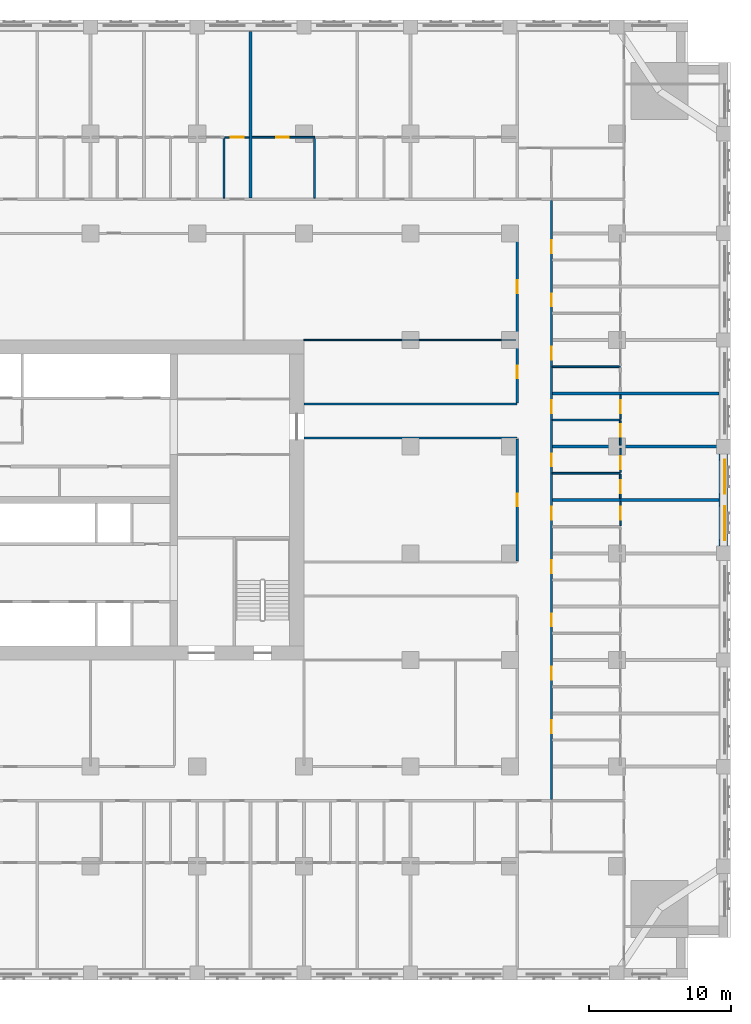
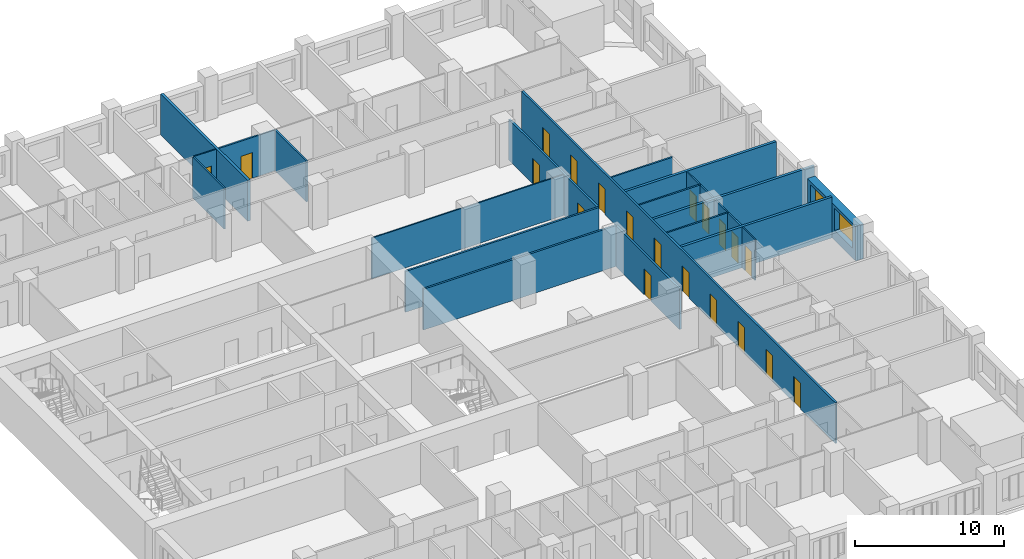
# One storey, part 10 of 15: 23 walls, 20 doors, 2 windows, 22 openings.
"""IFC4 building model written with IfcOpenShell, lengths in metres."""

from ifc_helpers import new_model, si_unit, direction, frame, frame_2d, origin, place, context, subcontext, project, spatial, rectangle, extrude, material, layer, layer_set, type_object, element, fill, save


model = new_model("IFC4")

# Units and contexts
model_context = context("Model", 3, precision=1e-05, world=origin(), true_north=direction((0.0, 1.0)))
body_context = subcontext(model_context, "Body", "Model", "MODEL_VIEW")
ifc_project = project(units=[si_unit("LENGTHUNIT", "METRE"), si_unit("AREAUNIT", "SQUARE_METRE"), si_unit("VOLUMEUNIT", "CUBIC_METRE"), si_unit("PLANEANGLEUNIT", "RADIAN"), si_unit("MASSUNIT", "GRAM", prefix="KILO")], contexts=[model_context])

# Site, building, storey
site_placement = place(None, origin())
site = spatial("IfcSite", under=ifc_project, at=site_placement, CompositionType="ELEMENT")
building_placement = place(site_placement, origin())
building = spatial("IfcBuilding", under=site, at=building_placement, Name="Tamorin Gate", CompositionType="ELEMENT")
storey_placement = place(building_placement, frame((0.0, 0.0, 48.39990234375)))
storey = spatial("IfcBuildingStorey", under=building, at=storey_placement, Name="L10", CompositionType="ELEMENT", Elevation=48.39990234375)

# Wall, openings, windows
ifc_material_1 = material(Name="Precast concrete C40/50", Category="concrete")
ifc_layer_1 = layer(ifc_material_1, 0.60009765625)
ifc_layer_set_1 = layer_set([ifc_layer_1], Name="Precast concrete C40/50")
wall_type_1 = type_object("IfcWallType", Name="Board-marked concrete facade panel 600", PredefinedType="SOLIDWALL", material=ifc_layer_set_1)
wall_1_placement = place(storey_placement, frame((89.5, 68.0, 0.0), z_axis=(0.0, 0.0, 1.0), x_axis=(0.0, 1.0, 0.0)))
wall_1 = element("IfcWall", 1, at=wall_1_placement, inside=storey, type_object=wall_type_1, Name="Facade panel", PredefinedType="SOLIDWALL", context=body_context, shape_type="SweptSolid", body=[
    extrude(rectangle(XDim=6.5, YDim=0.60009765625, at=frame_2d((3.25, 0.0))), origin(), (0.0, 0.0, 1.0), 2.85009765625),
])
opening_1_placement = place(wall_1_placement, frame((0.425048828125, 0.0, 0.800048828125)))
opening_1 = element("IfcOpeningElement", 2, at=opening_1_placement, cuts=wall_1, Name="Opening WN1", PredefinedType="OPENING", context=body_context, shape_type="SweptSolid", body=[
    extrude(rectangle(XDim=2.39990234375, YDim=1.800048828125, at=frame_2d((1.199951171875, 0.89990234375))), frame((0.0, 0.31005859375, 0.0), z_axis=(0.0, -1.0, 0.0), x_axis=(1.0, 0.0, 0.0)), (0.0, 0.0, 1.0), 0.6201171875),
])
opening_2_placement = place(wall_1_placement, frame((3.675048828125, 0.0, 0.800048828125)))
opening_2 = element("IfcOpeningElement", 3, at=opening_2_placement, cuts=wall_1, Name="Opening WN1", PredefinedType="OPENING", context=body_context, shape_type="SweptSolid", body=[
    extrude(rectangle(XDim=2.39990234375, YDim=1.800048828125, at=frame_2d((1.199951171875, 0.89990234375))), frame((0.0, 0.31005859375, 0.0), z_axis=(0.0, -1.0, 0.0), x_axis=(1.0, 0.0, 0.0)), (0.0, 0.0, 1.0), 0.6201171875),
])
ifc_material_2 = material(Name="Clear glass in aluminium frame", Category="aluminium")
window_type = type_object("IfcWindowType", Name="Deep-set window 2400x1800", PartitioningType="SINGLE_PANEL", PredefinedType="WINDOW", material=ifc_material_2)
window_1_placement = place(opening_1_placement, origin())
window_1 = element("IfcWindow", 4, at=window_1_placement, inside=storey, type_object=window_type, Name="Deep-set window", OverallHeight=1.800048828125, OverallWidth=2.39990234375, PartitioningType="SINGLE_PANEL", PredefinedType="WINDOW", context=body_context, shape_type="SweptSolid", body=[
    extrude(rectangle(XDim=2.39990234375, YDim=1.800048828125, at=frame_2d((1.199951171875, 0.89990234375))), frame((0.0, -0.070068359375, 0.0), z_axis=(0.0, -1.0, 0.0), x_axis=(1.0, 0.0, 0.0)), (0.0, 0.0, 1.0), 0.06005859375),
])
fill(opening_1, window_1)
window_2_placement = place(opening_2_placement, origin())
window_2 = element("IfcWindow", 5, at=window_2_placement, inside=storey, type_object=window_type, Name="Deep-set window", OverallHeight=1.800048828125, OverallWidth=2.39990234375, PartitioningType="SINGLE_PANEL", PredefinedType="WINDOW", context=body_context, shape_type="SweptSolid", body=[
    extrude(rectangle(XDim=2.39990234375, YDim=1.800048828125, at=frame_2d((1.199951171875, 0.89990234375))), frame((0.0, -0.070068359375, 0.0), z_axis=(0.0, -1.0, 0.0), x_axis=(1.0, 0.0, 0.0)), (0.0, 0.0, 1.0), 0.06005859375),
])
fill(opening_2, window_2)

# Wall, opening, door
ifc_material_3 = material(Name="Gypsum board partition")
ifc_layer_2 = layer(ifc_material_3, 0.14990234375)
ifc_layer_set_2 = layer_set([ifc_layer_2], Name="Corridor wall 150")
wall_type_2 = type_object("IfcWallType", Name="Corridor wall 150", PredefinedType="PARTITIONING", material=ifc_layer_set_2)
wall_2_placement = place(storey_placement, frame((75.0, 66.97509765625, 0.0), z_axis=(0.0, 0.0, 1.0), x_axis=(0.0, 1.0, 0.0)))
wall_2 = element("IfcWall", 6, at=wall_2_placement, inside=storey, type_object=wall_type_2, Name="Corridor wall 150", PredefinedType="PARTITIONING", context=body_context, shape_type="SweptSolid", body=[
    extrude(rectangle(XDim=8.5498046875, YDim=0.14990234375, at=frame_2d((4.27490234375, 0.0))), origin(), (0.0, 0.0, 1.0), 3.35009765625),
])
opening_3_placement = place(wall_2_placement, frame((3.824951171875, 0.0, 0.0)))
opening_3 = element("IfcOpeningElement", 7, at=opening_3_placement, cuts=wall_2, Name="Opening DH1101", PredefinedType="OPENING", context=body_context, shape_type="SweptSolid", body=[
    extrude(rectangle(XDim=0.89990234375, YDim=2.10009765625, at=frame_2d((0.449951171875, 1.050048828125))), frame((0.0, 0.0849609375, 0.0), z_axis=(0.0, -1.0, 0.0), x_axis=(1.0, 0.0, 0.0)), (0.0, 0.0, 1.0), 0.169921875),
])
ifc_material_4 = material(Name="Timber door leaf", Category="wood")
door_type_1 = type_object("IfcDoorType", Name="Door 900 x 2100 FD30S", OperationType="NOTDEFINED", PredefinedType="DOOR", material=ifc_material_4)
door_1_placement = place(opening_3_placement, origin())
door_1 = element("IfcDoor", 8, at=door_1_placement, inside=storey, type_object=door_type_1, Name="Door DH1101", OperationType="SINGLE_SWING_LEFT", OverallHeight=2.10009765625, OverallWidth=0.89990234375, PredefinedType="DOOR", context=body_context, shape_type="SweptSolid", body=[
    extrude(rectangle(XDim=0.89990234375, YDim=2.10009765625, at=frame_2d((0.449951171875, 1.050048828125))), frame((0.0, 0.02490234375, 0.0), z_axis=(0.0, -1.0, 0.0), x_axis=(1.0, 0.0, 0.0)), (0.0, 0.0, 1.0), 0.050048828125),
])
fill(opening_3, door_1)

# Wall, openings, doors
wall_3_placement = place(storey_placement, frame((75.0, 78.074951171875, 0.0), z_axis=(0.0, 0.0, 1.0), x_axis=(0.0, 1.0, 0.0)))
wall_3 = element("IfcWall", 9, at=wall_3_placement, inside=storey, type_object=wall_type_2, Name="Corridor wall 150", PredefinedType="PARTITIONING", context=body_context, shape_type="SweptSolid", body=[
    extrude(rectangle(XDim=11.85009765625, YDim=0.14990234375, at=frame_2d((5.925048828125, 0.0))), origin(), (0.0, 0.0, 1.0), 3.35009765625),
])
opening_4_placement = place(wall_3_placement, frame((7.72509765625, 0.0, 0.0)))
opening_4 = element("IfcOpeningElement", 10, at=opening_4_placement, cuts=wall_3, Name="Opening DH1099", PredefinedType="OPENING", context=body_context, shape_type="SweptSolid", body=[
    extrude(rectangle(XDim=0.89990234375, YDim=2.10009765625, at=frame_2d((0.449951171875, 1.050048828125))), frame((0.0, 0.0849609375, 0.0), z_axis=(0.0, -1.0, 0.0), x_axis=(1.0, 0.0, 0.0)), (0.0, 0.0, 1.0), 0.169921875),
])
opening_5_placement = place(wall_3_placement, frame((1.72509765625, 0.0, 0.0)))
opening_5 = element("IfcOpeningElement", 11, at=opening_5_placement, cuts=wall_3, Name="Opening DH1102", PredefinedType="OPENING", context=body_context, shape_type="SweptSolid", body=[
    extrude(rectangle(XDim=0.89990234375, YDim=2.10009765625, at=frame_2d((0.449951171875, 1.050048828125))), frame((0.0, 0.0849609375, 0.0), z_axis=(0.0, -1.0, 0.0), x_axis=(1.0, 0.0, 0.0)), (0.0, 0.0, 1.0), 0.169921875),
])
door_2_placement = place(opening_4_placement, origin())
door_2 = element("IfcDoor", 12, at=door_2_placement, inside=storey, type_object=door_type_1, Name="Door DH1099", OperationType="SINGLE_SWING_LEFT", OverallHeight=2.10009765625, OverallWidth=0.89990234375, PredefinedType="DOOR", context=body_context, shape_type="SweptSolid", body=[
    extrude(rectangle(XDim=0.89990234375, YDim=2.10009765625, at=frame_2d((0.449951171875, 1.050048828125))), frame((0.0, 0.02490234375, 0.0), z_axis=(0.0, -1.0, 0.0), x_axis=(1.0, 0.0, 0.0)), (0.0, 0.0, 1.0), 0.050048828125),
])
fill(opening_4, door_2)
door_3_placement = place(opening_5_placement, origin())
door_3 = element("IfcDoor", 13, at=door_3_placement, inside=storey, type_object=door_type_1, Name="Door DH1102", OperationType="SINGLE_SWING_LEFT", OverallHeight=2.10009765625, OverallWidth=0.89990234375, PredefinedType="DOOR", context=body_context, shape_type="SweptSolid", body=[
    extrude(rectangle(XDim=0.89990234375, YDim=2.10009765625, at=frame_2d((0.449951171875, 1.050048828125))), frame((0.0, 0.02490234375, 0.0), z_axis=(0.0, -1.0, 0.0), x_axis=(1.0, 0.0, 0.0)), (0.0, 0.0, 1.0), 0.050048828125),
])
fill(opening_5, door_3)

wall_4_placement = place(storey_placement, frame((77.39990234375, 50.175048828125, 0.0), z_axis=(0.0, 0.0, 1.0), x_axis=(0.0, 1.0, 0.0)))
wall_4 = element("IfcWall", 14, at=wall_4_placement, inside=storey, type_object=wall_type_2, Name="Corridor wall 150", PredefinedType="PARTITIONING", context=body_context, shape_type="SweptSolid", body=[
    extrude(rectangle(XDim=42.14990234375, YDim=0.14990234375, at=frame_2d((21.074951171875, 0.0))), origin(), (0.0, 0.0, 1.0), 3.35009765625),
])
opening_6_placement = place(wall_4_placement, frame((4.6875, 0.0, 0.0)))
opening_6 = element("IfcOpeningElement", 15, at=opening_6_placement, cuts=wall_4, Name="Opening DH1052", PredefinedType="OPENING", context=body_context, shape_type="SweptSolid", body=[
    extrude(rectangle(XDim=0.89990234375, YDim=2.10009765625, at=frame_2d((0.449951171875, 1.050048828125))), frame((0.0, 0.0849609375, 0.0), z_axis=(0.0, -1.0, 0.0), x_axis=(1.0, 0.0, 0.0)), (0.0, 0.0, 1.0), 0.169921875),
])
opening_7_placement = place(wall_4_placement, frame((8.4375, 0.0, 0.0)))
opening_7 = element("IfcOpeningElement", 16, at=opening_7_placement, cuts=wall_4, Name="Opening DH1055", PredefinedType="OPENING", context=body_context, shape_type="SweptSolid", body=[
    extrude(rectangle(XDim=0.89990234375, YDim=2.10009765625, at=frame_2d((0.449951171875, 1.050048828125))), frame((0.0, 0.0849609375, 0.0), z_axis=(0.0, -1.0, 0.0), x_axis=(1.0, 0.0, 0.0)), (0.0, 0.0, 1.0), 0.169921875),
])
opening_8_placement = place(wall_4_placement, frame((12.1875, 0.0, 0.0)))
opening_8 = element("IfcOpeningElement", 17, at=opening_8_placement, cuts=wall_4, Name="Opening DH1058", PredefinedType="OPENING", context=body_context, shape_type="SweptSolid", body=[
    extrude(rectangle(XDim=0.89990234375, YDim=2.10009765625, at=frame_2d((0.449951171875, 1.050048828125))), frame((0.0, 0.0849609375, 0.0), z_axis=(0.0, -1.0, 0.0), x_axis=(1.0, 0.0, 0.0)), (0.0, 0.0, 1.0), 0.169921875),
])
opening_9_placement = place(wall_4_placement, frame((15.9375, 0.0, 0.0)))
opening_9 = element("IfcOpeningElement", 18, at=opening_9_placement, cuts=wall_4, Name="Opening DH1061", PredefinedType="OPENING", context=body_context, shape_type="SweptSolid", body=[
    extrude(rectangle(XDim=0.89990234375, YDim=2.10009765625, at=frame_2d((0.449951171875, 1.050048828125))), frame((0.0, 0.0849609375, 0.0), z_axis=(0.0, -1.0, 0.0), x_axis=(1.0, 0.0, 0.0)), (0.0, 0.0, 1.0), 0.169921875),
])
opening_10_placement = place(wall_4_placement, frame((19.6875, 0.0, 0.0)))
opening_10 = element("IfcOpeningElement", 19, at=opening_10_placement, cuts=wall_4, Name="Opening DH1064", PredefinedType="OPENING", context=body_context, shape_type="SweptSolid", body=[
    extrude(rectangle(XDim=0.89990234375, YDim=2.10009765625, at=frame_2d((0.449951171875, 1.050048828125))), frame((0.0, 0.0849609375, 0.0), z_axis=(0.0, -1.0, 0.0), x_axis=(1.0, 0.0, 0.0)), (0.0, 0.0, 1.0), 0.169921875),
])
opening_11_placement = place(wall_4_placement, frame((23.4375, 0.0, 0.0)))
opening_11 = element("IfcOpeningElement", 20, at=opening_11_placement, cuts=wall_4, Name="Opening DH1067", PredefinedType="OPENING", context=body_context, shape_type="SweptSolid", body=[
    extrude(rectangle(XDim=0.89990234375, YDim=2.10009765625, at=frame_2d((0.449951171875, 1.050048828125))), frame((0.0, 0.0849609375, 0.0), z_axis=(0.0, -1.0, 0.0), x_axis=(1.0, 0.0, 0.0)), (0.0, 0.0, 1.0), 0.169921875),
])
opening_12_placement = place(wall_4_placement, frame((27.1875, 0.0, 0.0)))
opening_12 = element("IfcOpeningElement", 21, at=opening_12_placement, cuts=wall_4, Name="Opening DH1070", PredefinedType="OPENING", context=body_context, shape_type="SweptSolid", body=[
    extrude(rectangle(XDim=0.89990234375, YDim=2.10009765625, at=frame_2d((0.449951171875, 1.050048828125))), frame((0.0, 0.0849609375, 0.0), z_axis=(0.0, -1.0, 0.0), x_axis=(1.0, 0.0, 0.0)), (0.0, 0.0, 1.0), 0.169921875),
])
opening_13_placement = place(wall_4_placement, frame((30.9375, 0.0, 0.0)))
opening_13 = element("IfcOpeningElement", 22, at=opening_13_placement, cuts=wall_4, Name="Opening DH1073", PredefinedType="OPENING", context=body_context, shape_type="SweptSolid", body=[
    extrude(rectangle(XDim=0.89990234375, YDim=2.10009765625, at=frame_2d((0.449951171875, 1.050048828125))), frame((0.0, 0.0849609375, 0.0), z_axis=(0.0, -1.0, 0.0), x_axis=(1.0, 0.0, 0.0)), (0.0, 0.0, 1.0), 0.169921875),
])
opening_14_placement = place(wall_4_placement, frame((34.6875, 0.0, 0.0)))
opening_14 = element("IfcOpeningElement", 23, at=opening_14_placement, cuts=wall_4, Name="Opening DH1076", PredefinedType="OPENING", context=body_context, shape_type="SweptSolid", body=[
    extrude(rectangle(XDim=0.89990234375, YDim=2.10009765625, at=frame_2d((0.449951171875, 1.050048828125))), frame((0.0, 0.0849609375, 0.0), z_axis=(0.0, -1.0, 0.0), x_axis=(1.0, 0.0, 0.0)), (0.0, 0.0, 1.0), 0.169921875),
])
opening_15_placement = place(wall_4_placement, frame((38.4375, 0.0, 0.0)))
opening_15 = element("IfcOpeningElement", 24, at=opening_15_placement, cuts=wall_4, Name="Opening DH1079", PredefinedType="OPENING", context=body_context, shape_type="SweptSolid", body=[
    extrude(rectangle(XDim=0.89990234375, YDim=2.10009765625, at=frame_2d((0.449951171875, 1.050048828125))), frame((0.0, 0.0849609375, 0.0), z_axis=(0.0, -1.0, 0.0), x_axis=(1.0, 0.0, 0.0)), (0.0, 0.0, 1.0), 0.169921875),
])
door_4_placement = place(opening_6_placement, origin())
door_4 = element("IfcDoor", 25, at=door_4_placement, inside=storey, type_object=door_type_1, Name="Door DH1052", OperationType="SINGLE_SWING_RIGHT", OverallHeight=2.10009765625, OverallWidth=0.89990234375, PredefinedType="DOOR", context=body_context, shape_type="SweptSolid", body=[
    extrude(rectangle(XDim=0.89990234375, YDim=2.10009765625, at=frame_2d((0.449951171875, 1.050048828125))), frame((0.0, 0.02490234375, 0.0), z_axis=(0.0, -1.0, 0.0), x_axis=(1.0, 0.0, 0.0)), (0.0, 0.0, 1.0), 0.050048828125),
])
fill(opening_6, door_4)
door_5_placement = place(opening_7_placement, origin())
door_5 = element("IfcDoor", 26, at=door_5_placement, inside=storey, type_object=door_type_1, Name="Door DH1055", OperationType="SINGLE_SWING_RIGHT", OverallHeight=2.10009765625, OverallWidth=0.89990234375, PredefinedType="DOOR", context=body_context, shape_type="SweptSolid", body=[
    extrude(rectangle(XDim=0.89990234375, YDim=2.10009765625, at=frame_2d((0.449951171875, 1.050048828125))), frame((0.0, 0.02490234375, 0.0), z_axis=(0.0, -1.0, 0.0), x_axis=(1.0, 0.0, 0.0)), (0.0, 0.0, 1.0), 0.050048828125),
])
fill(opening_7, door_5)
door_6_placement = place(opening_8_placement, origin())
door_6 = element("IfcDoor", 27, at=door_6_placement, inside=storey, type_object=door_type_1, Name="Door DH1058", OperationType="SINGLE_SWING_RIGHT", OverallHeight=2.10009765625, OverallWidth=0.89990234375, PredefinedType="DOOR", context=body_context, shape_type="SweptSolid", body=[
    extrude(rectangle(XDim=0.89990234375, YDim=2.10009765625, at=frame_2d((0.449951171875, 1.050048828125))), frame((0.0, 0.02490234375, 0.0), z_axis=(0.0, -1.0, 0.0), x_axis=(1.0, 0.0, 0.0)), (0.0, 0.0, 1.0), 0.050048828125),
])
fill(opening_8, door_6)
door_7_placement = place(opening_9_placement, origin())
door_7 = element("IfcDoor", 28, at=door_7_placement, inside=storey, type_object=door_type_1, Name="Door DH1061", OperationType="SINGLE_SWING_RIGHT", OverallHeight=2.10009765625, OverallWidth=0.89990234375, PredefinedType="DOOR", context=body_context, shape_type="SweptSolid", body=[
    extrude(rectangle(XDim=0.89990234375, YDim=2.10009765625, at=frame_2d((0.449951171875, 1.050048828125))), frame((0.0, 0.02490234375, 0.0), z_axis=(0.0, -1.0, 0.0), x_axis=(1.0, 0.0, 0.0)), (0.0, 0.0, 1.0), 0.050048828125),
])
fill(opening_9, door_7)
door_8_placement = place(opening_10_placement, origin())
door_8 = element("IfcDoor", 29, at=door_8_placement, inside=storey, type_object=door_type_1, Name="Door DH1064", OperationType="SINGLE_SWING_RIGHT", OverallHeight=2.10009765625, OverallWidth=0.89990234375, PredefinedType="DOOR", context=body_context, shape_type="SweptSolid", body=[
    extrude(rectangle(XDim=0.89990234375, YDim=2.10009765625, at=frame_2d((0.449951171875, 1.050048828125))), frame((0.0, 0.02490234375, 0.0), z_axis=(0.0, -1.0, 0.0), x_axis=(1.0, 0.0, 0.0)), (0.0, 0.0, 1.0), 0.050048828125),
])
fill(opening_10, door_8)
door_9_placement = place(opening_11_placement, origin())
door_9 = element("IfcDoor", 30, at=door_9_placement, inside=storey, type_object=door_type_1, Name="Door DH1067", OperationType="SINGLE_SWING_RIGHT", OverallHeight=2.10009765625, OverallWidth=0.89990234375, PredefinedType="DOOR", context=body_context, shape_type="SweptSolid", body=[
    extrude(rectangle(XDim=0.89990234375, YDim=2.10009765625, at=frame_2d((0.449951171875, 1.050048828125))), frame((0.0, 0.02490234375, 0.0), z_axis=(0.0, -1.0, 0.0), x_axis=(1.0, 0.0, 0.0)), (0.0, 0.0, 1.0), 0.050048828125),
])
fill(opening_11, door_9)
door_10_placement = place(opening_12_placement, origin())
door_10 = element("IfcDoor", 31, at=door_10_placement, inside=storey, type_object=door_type_1, Name="Door DH1070", OperationType="SINGLE_SWING_RIGHT", OverallHeight=2.10009765625, OverallWidth=0.89990234375, PredefinedType="DOOR", context=body_context, shape_type="SweptSolid", body=[
    extrude(rectangle(XDim=0.89990234375, YDim=2.10009765625, at=frame_2d((0.449951171875, 1.050048828125))), frame((0.0, 0.02490234375, 0.0), z_axis=(0.0, -1.0, 0.0), x_axis=(1.0, 0.0, 0.0)), (0.0, 0.0, 1.0), 0.050048828125),
])
fill(opening_12, door_10)
door_11_placement = place(opening_13_placement, origin())
door_11 = element("IfcDoor", 32, at=door_11_placement, inside=storey, type_object=door_type_1, Name="Door DH1073", OperationType="SINGLE_SWING_RIGHT", OverallHeight=2.10009765625, OverallWidth=0.89990234375, PredefinedType="DOOR", context=body_context, shape_type="SweptSolid", body=[
    extrude(rectangle(XDim=0.89990234375, YDim=2.10009765625, at=frame_2d((0.449951171875, 1.050048828125))), frame((0.0, 0.02490234375, 0.0), z_axis=(0.0, -1.0, 0.0), x_axis=(1.0, 0.0, 0.0)), (0.0, 0.0, 1.0), 0.050048828125),
])
fill(opening_13, door_11)
door_12_placement = place(opening_14_placement, origin())
door_12 = element("IfcDoor", 33, at=door_12_placement, inside=storey, type_object=door_type_1, Name="Door DH1076", OperationType="SINGLE_SWING_RIGHT", OverallHeight=2.10009765625, OverallWidth=0.89990234375, PredefinedType="DOOR", context=body_context, shape_type="SweptSolid", body=[
    extrude(rectangle(XDim=0.89990234375, YDim=2.10009765625, at=frame_2d((0.449951171875, 1.050048828125))), frame((0.0, 0.02490234375, 0.0), z_axis=(0.0, -1.0, 0.0), x_axis=(1.0, 0.0, 0.0)), (0.0, 0.0, 1.0), 0.050048828125),
])
fill(opening_14, door_12)
door_13_placement = place(opening_15_placement, origin())
door_13 = element("IfcDoor", 34, at=door_13_placement, inside=storey, type_object=door_type_1, Name="Door DH1079", OperationType="SINGLE_SWING_RIGHT", OverallHeight=2.10009765625, OverallWidth=0.89990234375, PredefinedType="DOOR", context=body_context, shape_type="SweptSolid", body=[
    extrude(rectangle(XDim=0.89990234375, YDim=2.10009765625, at=frame_2d((0.449951171875, 1.050048828125))), frame((0.0, 0.02490234375, 0.0), z_axis=(0.0, -1.0, 0.0), x_axis=(1.0, 0.0, 0.0)), (0.0, 0.0, 1.0), 0.050048828125),
])
fill(opening_15, door_13)

# Walls
ifc_layer_3 = layer(ifc_material_3, 0.199951171875)
ifc_layer_set_3 = layer_set([ifc_layer_3], Name="Demising wall 200")
wall_type_3 = type_object("IfcWallType", Name="Demising wall 200", PredefinedType="PARTITIONING", material=ifc_layer_set_3)
wall_5_placement = place(storey_placement, frame((77.47509765625, 71.25, 0.0), z_axis=(0.0, 0.0, 1.0), x_axis=(1.0, 0.0, 0.0)))
element("IfcWall", 35, at=wall_5_placement, inside=storey, type_object=wall_type_3, Name="Demising wall 200", PredefinedType="PARTITIONING", context=body_context, shape_type="SweptSolid", body=[
    extrude(rectangle(XDim=11.71484375, YDim=0.199951171875, at=frame_2d((5.857421875, 0.0))), origin(), (0.0, 0.0, 1.0), 3.35009765625),
])
wall_6_placement = place(storey_placement, frame((77.47509765625, 75.0, 0.0), z_axis=(0.0, 0.0, 1.0), x_axis=(1.0, 0.0, 0.0)))
element("IfcWall", 36, at=wall_6_placement, inside=storey, type_object=wall_type_3, Name="Demising wall 200", PredefinedType="PARTITIONING", context=body_context, shape_type="SweptSolid", body=[
    extrude(rectangle(XDim=12.52490234375, YDim=0.199951171875, at=frame_2d((6.262451171875, 0.0))), origin(), (0.0, 0.0, 1.0), 3.35009765625),
])
for number, where, z_axis, x_axis, name in (
    (37, (77.47509765625, 78.75, 0.0), (0.0, 0.0, 1.0), (1.0, 0.0, 0.0), "Demising wall 200"),
    (38, (56.25, 92.47509765625, 0.0), (0.0, 0.0, 1.0), (0.0, 1.0, 0.0), "Demising wall 200"),
):
    element("IfcWall", number, at=place(storey_placement, frame(where, z_axis=z_axis, x_axis=x_axis)), inside=storey, type_object=wall_type_3, Name=name, PredefinedType="PARTITIONING", context=body_context, shape_type="SweptSolid", body=[
        extrude(rectangle(XDim=11.71484375, YDim=0.199951171875, at=frame_2d((5.857421875, 0.0))), origin(), (0.0, 0.0, 1.0), 3.35009765625),
    ])
ifc_layer_4 = layer(ifc_material_3, 0.14990234375)
ifc_layer_set_4 = layer_set([ifc_layer_4], Name="Lobby wall 150")
wall_type_4 = type_object("IfcWallType", Name="Lobby wall 150", PredefinedType="PARTITIONING", material=ifc_layer_set_4)
for number, where, z_axis, x_axis, name in (
    (39, (60.0, 75.60009765625, 0.0), (0.0, 0.0, 1.0), (1.0, 0.0, 0.0), "Lobby wall 150"),
    (40, (60.0, 78.0, 0.0), (0.0, 0.0, 1.0), (1.0, 0.0, 0.0), "Lobby wall 150"),
):
    element("IfcWall", number, at=place(storey_placement, frame(where, z_axis=z_axis, x_axis=x_axis)), inside=storey, type_object=wall_type_4, Name=name, PredefinedType="PARTITIONING", context=body_context, shape_type="SweptSolid", body=[
        extrude(rectangle(XDim=15.0, YDim=0.14990234375, at=frame_2d((7.5, 0.0))), origin(), (0.0, 0.0, 1.0), 3.35009765625),
    ])
ifc_layer_5 = layer(ifc_material_3, 0.10009765625)
ifc_layer_set_5 = layer_set([ifc_layer_5], Name="Room partition 100")
wall_type_5 = type_object("IfcWallType", Name="Room partition 100", PredefinedType="PARTITIONING", material=ifc_layer_set_5)
wall_7_placement = place(storey_placement, frame((60.0, 82.5, 0.0), z_axis=(0.0, 0.0, 1.0), x_axis=(1.0, 0.0, 0.0)))
element("IfcWall", 41, at=wall_7_placement, inside=storey, type_object=wall_type_5, Name="Room partition 100", PredefinedType="PARTITIONING", context=body_context, shape_type="SweptSolid", body=[
    extrude(rectangle(XDim=14.925048828125, YDim=0.10009765625, at=frame_2d((7.46240234375, 0.0))), origin(), (0.0, 0.0, 1.0), 3.35009765625),
])

# Wall, opening, door
wall_8_placement = place(storey_placement, frame((54.4375, 96.75, 0.0), z_axis=(0.0, 0.0, 1.0), x_axis=(1.0, 0.0, 0.0)))
wall_8 = element("IfcWall", 42, at=wall_8_placement, inside=storey, type_object=wall_type_5, Name="Room partition 100", PredefinedType="PARTITIONING", context=body_context, shape_type="SweptSolid", body=[
    extrude(rectangle(XDim=1.71240234375, YDim=0.10009765625, at=frame_2d((0.856201171875, 0.0))), origin(), (0.0, 0.0, 1.0), 3.35009765625),
])
opening_16_placement = place(wall_8_placement, frame((0.425048828125, 0.0, 0.0)))
opening_16 = element("IfcOpeningElement", 43, at=opening_16_placement, cuts=wall_8, Name="Opening DH1041", PredefinedType="OPENING", context=body_context, shape_type="SweptSolid", body=[
    extrude(rectangle(XDim=0.89990234375, YDim=2.10009765625, at=frame_2d((0.449951171875, 1.050048828125))), frame((0.0, 0.06005859375, 0.0), z_axis=(0.0, -1.0, 0.0), x_axis=(1.0, 0.0, 0.0)), (0.0, 0.0, 1.0), 0.1201171875),
])
door_type_2 = type_object("IfcDoorType", Name="Door 900 x 2100", OperationType="NOTDEFINED", PredefinedType="DOOR", material=ifc_material_4)
door_14_placement = place(opening_16_placement, origin())
door_14 = element("IfcDoor", 44, at=door_14_placement, inside=storey, type_object=door_type_2, Name="Door DH1041", OperationType="SINGLE_SWING_RIGHT", OverallHeight=2.10009765625, OverallWidth=0.89990234375, PredefinedType="DOOR", context=body_context, shape_type="SweptSolid", body=[
    extrude(rectangle(XDim=0.89990234375, YDim=2.10009765625, at=frame_2d((0.449951171875, 1.050048828125))), frame((0.0, 0.02490234375, 0.0), z_axis=(0.0, -1.0, 0.0), x_axis=(1.0, 0.0, 0.0)), (0.0, 0.0, 1.0), 0.050048828125),
])
fill(opening_16, door_14)

wall_9_placement = place(storey_placement, frame((82.25, 69.4375, 0.0), z_axis=(0.0, 0.0, 1.0), x_axis=(0.0, 1.0, 0.0)))
wall_9 = element("IfcWall", 45, at=wall_9_placement, inside=storey, type_object=wall_type_5, Name="Room partition 100", PredefinedType="PARTITIONING", context=body_context, shape_type="SweptSolid", body=[
    extrude(rectangle(XDim=1.71240234375, YDim=0.10009765625, at=frame_2d((0.856201171875, 0.0))), origin(), (0.0, 0.0, 1.0), 3.35009765625),
])
opening_17_placement = place(wall_9_placement, frame((0.425048828125, 0.0, 0.0)))
opening_17 = element("IfcOpeningElement", 46, at=opening_17_placement, cuts=wall_9, Name="Opening DH1065", PredefinedType="OPENING", context=body_context, shape_type="SweptSolid", body=[
    extrude(rectangle(XDim=0.89990234375, YDim=2.10009765625, at=frame_2d((0.449951171875, 1.050048828125))), frame((0.0, 0.06005859375, 0.0), z_axis=(0.0, -1.0, 0.0), x_axis=(1.0, 0.0, 0.0)), (0.0, 0.0, 1.0), 0.1201171875),
])
door_15_placement = place(opening_17_placement, origin())
door_15 = element("IfcDoor", 47, at=door_15_placement, inside=storey, type_object=door_type_2, Name="Door DH1065", OperationType="SINGLE_SWING_LEFT", OverallHeight=2.10009765625, OverallWidth=0.89990234375, PredefinedType="DOOR", context=body_context, shape_type="SweptSolid", body=[
    extrude(rectangle(XDim=0.89990234375, YDim=2.10009765625, at=frame_2d((0.449951171875, 1.050048828125))), frame((0.0, 0.02490234375, 0.0), z_axis=(0.0, -1.0, 0.0), x_axis=(1.0, 0.0, 0.0)), (0.0, 0.0, 1.0), 0.050048828125),
])
fill(opening_17, door_15)

wall_10_placement = place(storey_placement, frame((82.25, 73.1875, 0.0), z_axis=(0.0, 0.0, 1.0), x_axis=(0.0, 1.0, 0.0)))
wall_10 = element("IfcWall", 48, at=wall_10_placement, inside=storey, type_object=wall_type_5, Name="Room partition 100", PredefinedType="PARTITIONING", context=body_context, shape_type="SweptSolid", body=[
    extrude(rectangle(XDim=1.71240234375, YDim=0.10009765625, at=frame_2d((0.856201171875, 0.0))), origin(), (0.0, 0.0, 1.0), 3.35009765625),
])
opening_18_placement = place(wall_10_placement, frame((0.22509765625, 0.0, 0.0)))
opening_18 = element("IfcOpeningElement", 49, at=opening_18_placement, cuts=wall_10, Name="Opening DH1068", PredefinedType="OPENING", context=body_context, shape_type="SweptSolid", body=[
    extrude(rectangle(XDim=0.89990234375, YDim=2.10009765625, at=frame_2d((0.449951171875, 1.050048828125))), frame((0.0, 0.06005859375, 0.0), z_axis=(0.0, -1.0, 0.0), x_axis=(1.0, 0.0, 0.0)), (0.0, 0.0, 1.0), 0.1201171875),
])
door_16_placement = place(opening_18_placement, origin())
door_16 = element("IfcDoor", 50, at=door_16_placement, inside=storey, type_object=door_type_2, Name="Door DH1068", OperationType="SINGLE_SWING_LEFT", OverallHeight=2.10009765625, OverallWidth=0.89990234375, PredefinedType="DOOR", context=body_context, shape_type="SweptSolid", body=[
    extrude(rectangle(XDim=0.89990234375, YDim=2.10009765625, at=frame_2d((0.449951171875, 1.050048828125))), frame((0.0, 0.02490234375, 0.0), z_axis=(0.0, -1.0, 0.0), x_axis=(1.0, 0.0, 0.0)), (0.0, 0.0, 1.0), 0.050048828125),
])
fill(opening_18, door_16)

wall_11_placement = place(storey_placement, frame((82.25, 76.9375, 0.0), z_axis=(0.0, 0.0, 1.0), x_axis=(0.0, 1.0, 0.0)))
wall_11 = element("IfcWall", 51, at=wall_11_placement, inside=storey, type_object=wall_type_5, Name="Room partition 100", PredefinedType="PARTITIONING", context=body_context, shape_type="SweptSolid", body=[
    extrude(rectangle(XDim=1.71240234375, YDim=0.10009765625, at=frame_2d((0.856201171875, 0.0))), origin(), (0.0, 0.0, 1.0), 3.35009765625),
])
opening_19_placement = place(wall_11_placement, frame((0.425048828125, 0.0, 0.0)))
opening_19 = element("IfcOpeningElement", 52, at=opening_19_placement, cuts=wall_11, Name="Opening DH1071", PredefinedType="OPENING", context=body_context, shape_type="SweptSolid", body=[
    extrude(rectangle(XDim=0.89990234375, YDim=2.10009765625, at=frame_2d((0.449951171875, 1.050048828125))), frame((0.0, 0.06005859375, 0.0), z_axis=(0.0, -1.0, 0.0), x_axis=(1.0, 0.0, 0.0)), (0.0, 0.0, 1.0), 0.1201171875),
])
door_17_placement = place(opening_19_placement, origin())
door_17 = element("IfcDoor", 53, at=door_17_placement, inside=storey, type_object=door_type_2, Name="Door DH1071", OperationType="SINGLE_SWING_LEFT", OverallHeight=2.10009765625, OverallWidth=0.89990234375, PredefinedType="DOOR", context=body_context, shape_type="SweptSolid", body=[
    extrude(rectangle(XDim=0.89990234375, YDim=2.10009765625, at=frame_2d((0.449951171875, 1.050048828125))), frame((0.0, 0.02490234375, 0.0), z_axis=(0.0, -1.0, 0.0), x_axis=(1.0, 0.0, 0.0)), (0.0, 0.0, 1.0), 0.050048828125),
])
fill(opening_19, door_17)

# Walls
ifc_layer_6 = layer(ifc_material_3, 0.125)
ifc_layer_set_6 = layer_set([ifc_layer_6], Name="Wet wall 125")
wall_type_6 = type_object("IfcWallType", Name="Wet wall 125", PredefinedType="PARTITIONING", material=ifc_layer_set_6)
for number, where, z_axis, x_axis, name in (
    (54, (77.47509765625, 73.125, 0.0), (0.0, 0.0, 1.0), (1.0, 0.0, 0.0), "Wet wall 125"),
    (55, (77.47509765625, 76.875, 0.0), (0.0, 0.0, 1.0), (1.0, 0.0, 0.0), "Wet wall 125"),
    (56, (77.47509765625, 80.625, 0.0), (0.0, 0.0, 1.0), (1.0, 0.0, 0.0), "Wet wall 125"),
):
    element("IfcWall", number, at=place(storey_placement, frame(where, z_axis=z_axis, x_axis=x_axis)), inside=storey, type_object=wall_type_6, Name=name, PredefinedType="PARTITIONING", context=body_context, shape_type="SweptSolid", body=[
        extrude(rectangle(XDim=4.77490234375, YDim=0.125, at=frame_2d((2.387451171875, 0.0))), origin(), (0.0, 0.0, 1.0), 3.35009765625),
    ])

# Wall, opening, door
wall_12_placement = place(storey_placement, frame((56.35009765625, 96.75, 0.0), z_axis=(0.0, 0.0, 1.0), x_axis=(1.0, 0.0, 0.0)))
wall_12 = element("IfcWall", 57, at=wall_12_placement, inside=storey, type_object=wall_type_6, Name="Wet wall 125", PredefinedType="PARTITIONING", context=body_context, shape_type="SweptSolid", body=[
    extrude(rectangle(XDim=4.39990234375, YDim=0.125, at=frame_2d((2.199951171875, 0.0))), origin(), (0.0, 0.0, 1.0), 3.35009765625),
])
opening_20_placement = place(wall_12_placement, frame((1.699951171875, 0.0, 0.0)))
opening_20 = element("IfcOpeningElement", 58, at=opening_20_placement, cuts=wall_12, Name="Opening DH1042", PredefinedType="OPENING", context=body_context, shape_type="SweptSolid", body=[
    extrude(rectangle(XDim=0.89990234375, YDim=2.10009765625, at=frame_2d((0.449951171875, 1.050048828125))), frame((0.0, 0.072509765625, 0.0), z_axis=(0.0, -1.0, 0.0), x_axis=(1.0, 0.0, 0.0)), (0.0, 0.0, 1.0), 0.14501953125),
])
door_18_placement = place(opening_20_placement, origin())
door_18 = element("IfcDoor", 59, at=door_18_placement, inside=storey, type_object=door_type_2, Name="Door DH1042", OperationType="SINGLE_SWING_RIGHT", OverallHeight=2.10009765625, OverallWidth=0.89990234375, PredefinedType="DOOR", context=body_context, shape_type="SweptSolid", body=[
    extrude(rectangle(XDim=0.89990234375, YDim=2.10009765625, at=frame_2d((0.449951171875, 1.050048828125))), frame((0.0, 0.02490234375, 0.0), z_axis=(0.0, -1.0, 0.0), x_axis=(1.0, 0.0, 0.0)), (0.0, 0.0, 1.0), 0.050048828125),
])
fill(opening_20, door_18)

# Walls
for number, where, z_axis, x_axis, name in (
    (60, (54.375, 92.47509765625, 0.0), (0.0, 0.0, 1.0), (0.0, 1.0, 0.0), "Wet wall 125"),
    (61, (60.75, 92.47509765625, 0.0), (0.0, 0.0, 1.0), (0.0, 1.0, 0.0), "Wet wall 125"),
):
    element("IfcWall", number, at=place(storey_placement, frame(where, z_axis=z_axis, x_axis=x_axis)), inside=storey, type_object=wall_type_6, Name=name, PredefinedType="PARTITIONING", context=body_context, shape_type="SweptSolid", body=[
        extrude(rectangle(XDim=4.21240234375, YDim=0.125, at=frame_2d((2.106201171875, 0.0))), origin(), (0.0, 0.0, 1.0), 3.35009765625),
    ])

# Wall, opening, door
wall_13_placement = place(storey_placement, frame((82.25, 71.35009765625, 0.0), z_axis=(0.0, 0.0, 1.0), x_axis=(0.0, 1.0, 0.0)))
wall_13 = element("IfcWall", 62, at=wall_13_placement, inside=storey, type_object=wall_type_6, Name="Wet wall 125", PredefinedType="PARTITIONING", context=body_context, shape_type="SweptSolid", body=[
    extrude(rectangle(XDim=1.71240234375, YDim=0.125, at=frame_2d((0.856201171875, 0.0))), origin(), (0.0, 0.0, 1.0), 3.35009765625),
])
opening_21_placement = place(wall_13_placement, frame((0.387451171875, 0.0, 0.0)))
opening_21 = element("IfcOpeningElement", 63, at=opening_21_placement, cuts=wall_13, Name="Opening DH1066", PredefinedType="OPENING", context=body_context, shape_type="SweptSolid", body=[
    extrude(rectangle(XDim=0.89990234375, YDim=2.10009765625, at=frame_2d((0.449951171875, 1.050048828125))), frame((0.0, 0.072509765625, 0.0), z_axis=(0.0, -1.0, 0.0), x_axis=(1.0, 0.0, 0.0)), (0.0, 0.0, 1.0), 0.14501953125),
])
door_19_placement = place(opening_21_placement, origin())
door_19 = element("IfcDoor", 64, at=door_19_placement, inside=storey, type_object=door_type_2, Name="Door DH1066", OperationType="SINGLE_SWING_LEFT", OverallHeight=2.10009765625, OverallWidth=0.89990234375, PredefinedType="DOOR", context=body_context, shape_type="SweptSolid", body=[
    extrude(rectangle(XDim=0.89990234375, YDim=2.10009765625, at=frame_2d((0.449951171875, 1.050048828125))), frame((0.0, 0.02490234375, 0.0), z_axis=(0.0, -1.0, 0.0), x_axis=(1.0, 0.0, 0.0)), (0.0, 0.0, 1.0), 0.050048828125),
])
fill(opening_21, door_19)

wall_14_placement = place(storey_placement, frame((82.25, 75.10009765625, 0.0), z_axis=(0.0, 0.0, 1.0), x_axis=(0.0, 1.0, 0.0)))
wall_14 = element("IfcWall", 65, at=wall_14_placement, inside=storey, type_object=wall_type_6, Name="Wet wall 125", PredefinedType="PARTITIONING", context=body_context, shape_type="SweptSolid", body=[
    extrude(rectangle(XDim=1.71240234375, YDim=0.125, at=frame_2d((0.856201171875, 0.0))), origin(), (0.0, 0.0, 1.0), 3.35009765625),
])
opening_22_placement = place(wall_14_placement, frame((0.58740234375, 0.0, 0.0)))
opening_22 = element("IfcOpeningElement", 66, at=opening_22_placement, cuts=wall_14, Name="Opening DH1069", PredefinedType="OPENING", context=body_context, shape_type="SweptSolid", body=[
    extrude(rectangle(XDim=0.89990234375, YDim=2.10009765625, at=frame_2d((0.449951171875, 1.050048828125))), frame((0.0, 0.072509765625, 0.0), z_axis=(0.0, -1.0, 0.0), x_axis=(1.0, 0.0, 0.0)), (0.0, 0.0, 1.0), 0.14501953125),
])
door_20_placement = place(opening_22_placement, origin())
door_20 = element("IfcDoor", 67, at=door_20_placement, inside=storey, type_object=door_type_2, Name="Door DH1069", OperationType="SINGLE_SWING_RIGHT", OverallHeight=2.10009765625, OverallWidth=0.89990234375, PredefinedType="DOOR", context=body_context, shape_type="SweptSolid", body=[
    extrude(rectangle(XDim=0.89990234375, YDim=2.10009765625, at=frame_2d((0.449951171875, 1.050048828125))), frame((0.0, 0.02490234375, 0.0), z_axis=(0.0, -1.0, 0.0), x_axis=(1.0, 0.0, 0.0)), (0.0, 0.0, 1.0), 0.050048828125),
])
fill(opening_22, door_20)

save(model, "model.ifc")
